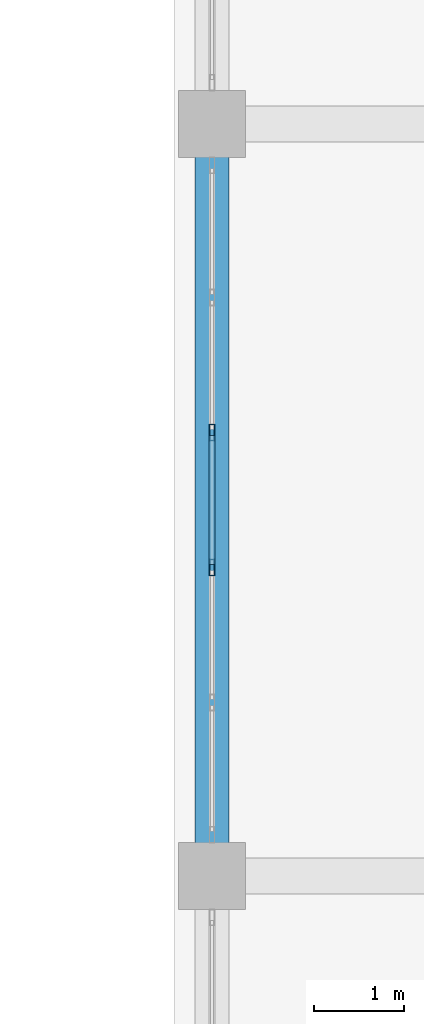
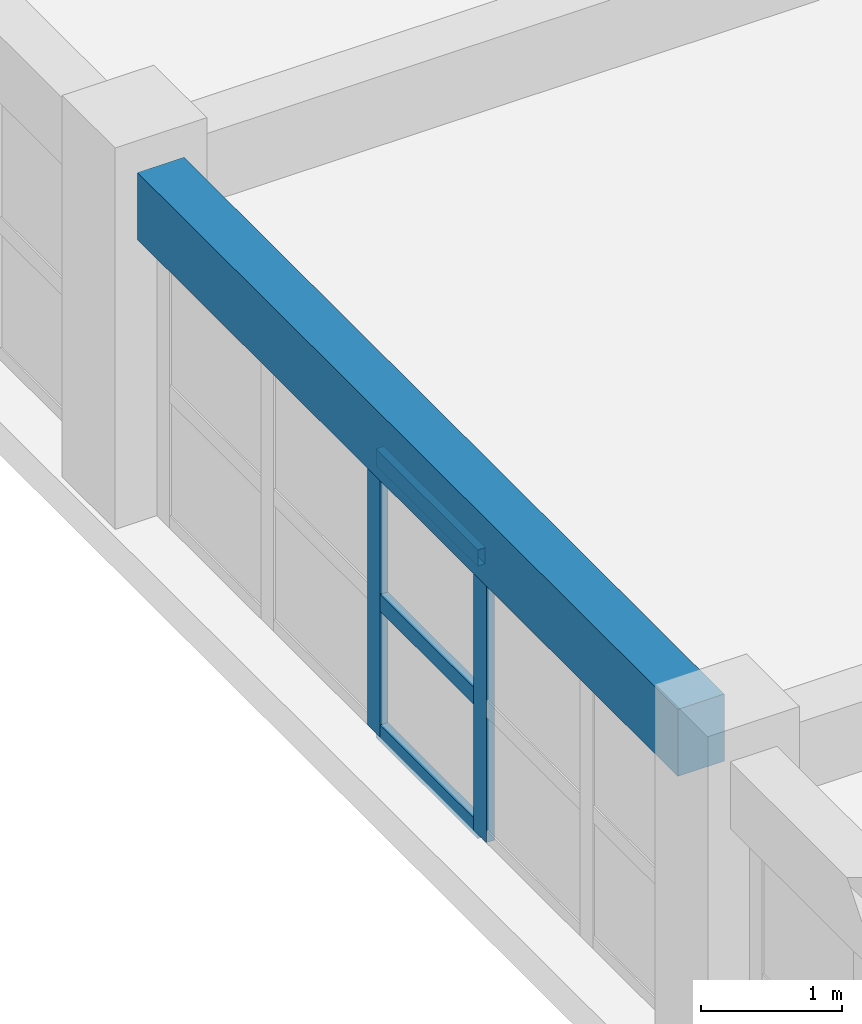
# One storey, part 131 of 200: 5 members, 1 beam, 1 element without a shape of its own.
"""IFC4 building model written with IfcOpenShell, lengths in metres."""

from ifc_helpers import new_model, si_unit, direction, frame, origin, origin_2d, place, context, subcontext, project, spatial, rectangle, hollow_rectangle, extrude, material, layer, layer_set, material_profile, profile_set, type_object, element, aggregate, save


model = new_model("IFC4")

# Units and contexts
model_context = context("Model", 3, precision=1e-05, world=origin(), true_north=direction((0.0, 1.0)))
body_context = subcontext(model_context, "Body", "Model", "MODEL_VIEW")
ifc_project = project(units=[si_unit("LENGTHUNIT", "METRE"), si_unit("AREAUNIT", "SQUARE_METRE"), si_unit("VOLUMEUNIT", "CUBIC_METRE"), si_unit("PLANEANGLEUNIT", "RADIAN"), si_unit("MASSUNIT", "GRAM", prefix="KILO")], contexts=[model_context])

# Site, building, storey
site_placement = place(None, origin())
site = spatial("IfcSite", under=ifc_project, at=site_placement, CompositionType="ELEMENT")
building_placement = place(site_placement, origin())
building = spatial("IfcBuilding", under=site, at=building_placement, Name="Trelvath General Hospital", CompositionType="ELEMENT")
storey_placement = place(building_placement, frame((0.0, 0.0, 4.800048828125)))
storey = spatial("IfcBuildingStorey", under=building, at=storey_placement, Name="L01", CompositionType="ELEMENT", Elevation=4.800048828125)

# Beam
ifc_material_1 = material(Name="Concrete C35/45", Category="concrete")
ifc_material_profile_1 = material_profile(ifc_material_1, rectangle(XDim=0.3798828125, YDim=0.580078125, at=origin_2d()), Name="RCB380x580")
ifc_profile_set_1 = profile_set([ifc_material_profile_1], Name="Concrete C35/45")
beam_type = type_object("IfcBeamType", Name="Beam RC380x580", PredefinedType="BEAM", material=ifc_profile_set_1)
beam_placement = place(storey_placement, frame((134.39990234375, 42.3701171875, 2.72998046875), z_axis=(0.0, 1.0, 0.0), x_axis=(-1.0, 0.0, 0.0)))
element("IfcBeam", 1, at=beam_placement, inside=storey, type_object=beam_type, Name="Grid Beam BY-116F", PredefinedType="BEAM", context=body_context, shape_type="SweptSolid", body=[
    extrude(rectangle(XDim=0.3798828125, YDim=0.580078125, at=origin_2d()), origin(), (0.0, 0.0, 1.0), 7.659912109375),
])

# Curtain wall, members
ifc_material_2 = material(Name="Anodised aluminium and low-E glass", Category="aluminium")
ifc_layer = layer(ifc_material_2, 0.179931640625)
ifc_layer_set = layer_set([ifc_layer], Name="Anodised aluminium and low-E glass")
curtain_wall_type = type_object("IfcCurtainWallType", Name="CW Facade 754 242 18", PredefinedType="USERDEFINED", material=ifc_layer_set)
curtain_wall_placement = place(storey_placement, origin())
curtain_wall = element("IfcCurtainWall", 2, at=curtain_wall_placement, inside=storey, type_object=curtain_wall_type, Name="Facade Curtain Wall CW-024", ObjectType="Unitised Glazed Curtain Wall", PredefinedType="USERDEFINED")
ifc_material_3 = material(Name="Anodised aluminium", Category="aluminium")
ifc_material_profile_2 = material_profile(ifc_material_3, hollow_rectangle(XDim=0.06494140625, YDim=0.179931640625, WallThickness=0.0048828125, at=origin_2d()), Name="RHS65x180x5")
ifc_profile_set_2 = profile_set([ifc_material_profile_2], Name="Anodised aluminium")
member_type_1 = type_object("IfcMemberType", Name="CurtainMullion 65x180", PredefinedType="MULLION", material=ifc_profile_set_2)
member_1_placement = place(storey_placement, frame((134.39990234375, 45.446044921875, 0.0), z_axis=(0.0, 0.0, 1.0), x_axis=(-1.0, 0.0, 0.0)))
member_1 = element("IfcMember", 3, at=member_1_placement, type_object=member_type_1, Name="CW-024 mullion 3", PredefinedType="MULLION", context=body_context, shape_type="SweptSolid", body=[
    extrude(hollow_rectangle(XDim=0.06494140625, YDim=0.179931640625, WallThickness=0.0048828125, at=origin_2d()), origin(), (0.0, 0.0, 1.0), 2.419921875),
])
member_2_placement = place(storey_placement, frame((134.39990234375, 46.9541015625, 0.0), z_axis=(0.0, 0.0, 1.0), x_axis=(-1.0, 0.0, 0.0)))
member_2 = element("IfcMember", 4, at=member_2_placement, type_object=member_type_1, Name="CW-024 mullion 4", PredefinedType="MULLION", context=body_context, shape_type="SweptSolid", body=[
    extrude(hollow_rectangle(XDim=0.06494140625, YDim=0.179931640625, WallThickness=0.0048828125, at=origin_2d()), origin(), (0.0, 0.0, 1.0), 2.419921875),
])
ifc_material_4 = material(Name="Anodised aluminium", Category="aluminium")
ifc_material_profile_3 = material_profile(ifc_material_4, hollow_rectangle(XDim=0.06494140625, YDim=0.14501953125, WallThickness=0.00390625, at=origin_2d()), Name="RHS65x145x4")
ifc_profile_set_3 = profile_set([ifc_material_profile_3], Name="Anodised aluminium")
member_type_2 = type_object("IfcMemberType", Name="CurtainTransom 65x145", PredefinedType="USERDEFINED", material=ifc_profile_set_3)
member_3_placement = place(storey_placement, frame((134.39990234375, 45.478515625, 0.032470703125), z_axis=(0.0, 1.0, 0.0), x_axis=(-1.0, 0.0, 0.0)))
member_3 = element("IfcMember", 5, at=member_3_placement, type_object=member_type_2, Name="CW-024 transom 3.1", ObjectType="TRANSOM", PredefinedType="USERDEFINED", context=body_context, shape_type="SweptSolid", body=[
    extrude(hollow_rectangle(XDim=0.06494140625, YDim=0.14501953125, WallThickness=0.00390625, at=origin_2d()), origin(), (0.0, 0.0, 1.0), 1.44287109375),
])
member_4_placement = place(storey_placement, frame((134.39990234375, 45.478515625, 1.161865234375), z_axis=(0.0, 1.0, 0.0), x_axis=(-1.0, 0.0, 0.0)))
member_4 = element("IfcMember", 6, at=member_4_placement, type_object=member_type_2, Name="CW-024 transom 3.2", ObjectType="TRANSOM", PredefinedType="USERDEFINED", context=body_context, shape_type="SweptSolid", body=[
    extrude(hollow_rectangle(XDim=0.06494140625, YDim=0.14501953125, WallThickness=0.00390625, at=origin_2d()), origin(), (0.0, 0.0, 1.0), 1.44287109375),
])
member_5_placement = place(storey_placement, frame((134.39990234375, 45.478515625, 2.387451171875), z_axis=(0.0, 1.0, 0.0), x_axis=(-1.0, 0.0, 0.0)))
member_5 = element("IfcMember", 7, at=member_5_placement, type_object=member_type_2, Name="CW-024 transom 3.3", ObjectType="TRANSOM", PredefinedType="USERDEFINED", context=body_context, shape_type="SweptSolid", body=[
    extrude(hollow_rectangle(XDim=0.06494140625, YDim=0.14501953125, WallThickness=0.00390625, at=origin_2d()), origin(), (0.0, 0.0, 1.0), 1.44287109375),
])
aggregate(curtain_wall, [member_1, member_2, member_3, member_4, member_5])

save(model, "model.ifc")
